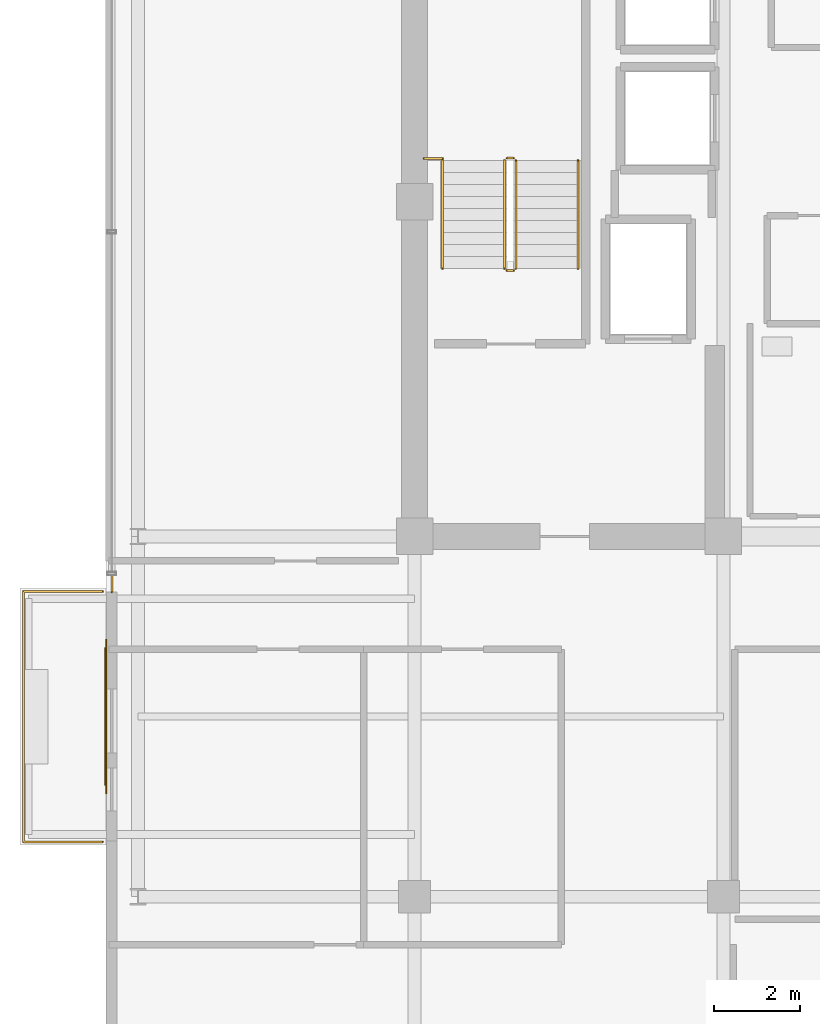
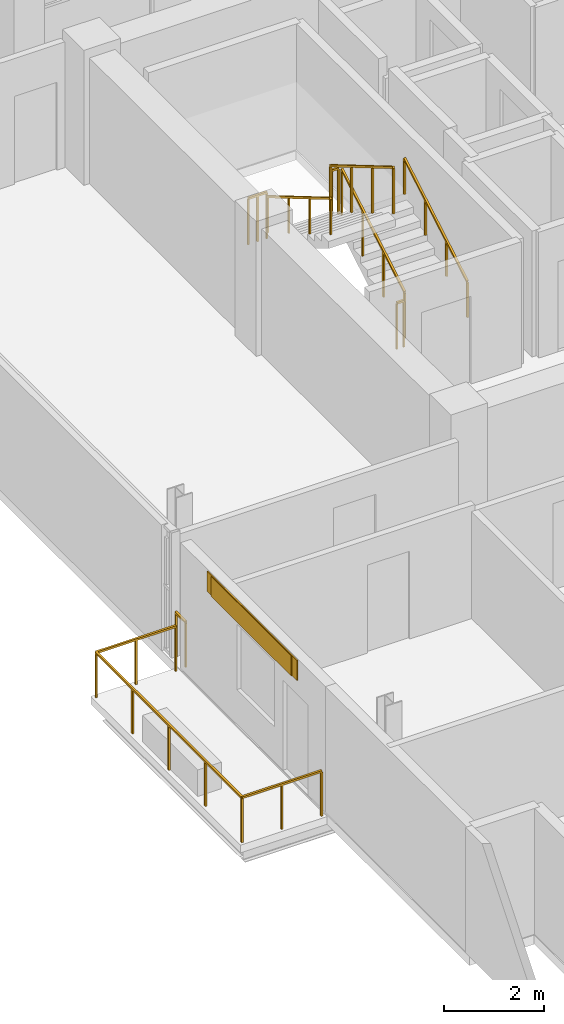
# One storey, part 26 of 28: 9 railings, 1 covering, 1 shading device.
"""IFC4 building model written with IfcOpenShell, lengths in metres."""

from ifc_helpers import new_model, si_unit, direction, frame, origin, origin_2d, place, context, subcontext, project, spatial, rectangle, extrude, source, transform, mapped, material, layer, layer_set, type_object, element, save


model = new_model("IFC4")

# Units and contexts
model_context = context("Model", 3, precision=1e-05, world=origin(), true_north=direction((0.0, 1.0)))
body_context = subcontext(model_context, "Body", "Model", "MODEL_VIEW")
ifc_project = project(units=[si_unit("LENGTHUNIT", "METRE"), si_unit("AREAUNIT", "SQUARE_METRE"), si_unit("VOLUMEUNIT", "CUBIC_METRE"), si_unit("PLANEANGLEUNIT", "RADIAN"), si_unit("MASSUNIT", "GRAM", prefix="KILO")], contexts=[model_context])

# Site, building, storey
site_placement = place(None, origin())
site = spatial("IfcSite", under=ifc_project, at=site_placement, CompositionType="ELEMENT")
building_placement = place(site_placement, origin())
building = spatial("IfcBuilding", under=site, at=building_placement, Name="Zarnakvel Exchange Tower", CompositionType="ELEMENT")
storey_placement = place(building_placement, frame((0.0, 0.0, 261.699951171875)))
storey = spatial("IfcBuildingStorey", under=building, at=storey_placement, Name="L74", CompositionType="ELEMENT", Elevation=261.699951171875)

# Railings
ifc_material_1 = material(Name="Architectural Bronze Anodised Aluminium", Category="aluminium")
railing_type_1 = type_object("IfcRailingType", Name="GR-02", PredefinedType="GUARDRAIL", material=ifc_material_1)
railing_1_placement = place(storey_placement, frame((-21.679931640625, -8.320068359375, -0.034912109375)))
element("IfcRailing", 1, at=railing_1_placement, inside=storey, type_object=railing_type_1, Name="L74 Balcony Guardrail BAL-L74-W", PredefinedType="GUARDRAIL", context=body_context, shape_type="SweptSolid", body=[
    extrude(rectangle(XDim=0.048095703125, YDim=0.048095703125, at=origin_2d()), frame((0.0, 0.0, 1.09619140625), z_axis=(-1.0, 0.0, 0.0), x_axis=(0.0, -1.0, 0.0)), (0.0, 0.0, 1.0), 1.840087890625),
    extrude(rectangle(XDim=0.048095703125, YDim=0.048095703125, at=origin_2d()), frame((-1.840087890625, 0.0, 1.09619140625), z_axis=(0.0, 1.0, 0.0), x_axis=(-1.0, 0.0, 0.0)), (0.0, 0.0, 1.0), 5.840087890625),
    extrude(rectangle(XDim=0.048095703125, YDim=0.048095703125, at=origin_2d()), frame((-1.840087890625, 5.840087890625, 1.09619140625), z_axis=(1.0, 0.0, 0.0), x_axis=(0.0, 1.0, 0.0)), (0.0, 0.0, 1.0), 1.840087890625),
    extrude(rectangle(XDim=0.0419921875, YDim=0.0419921875, at=origin_2d()), origin(), (0.0, 0.0, 1.0), 1.072021484375),
    extrude(rectangle(XDim=0.0419921875, YDim=0.0419921875, at=origin_2d()), frame((-0.919921875, 0.0, 0.0)), (0.0, 0.0, 1.0), 1.072021484375),
    extrude(rectangle(XDim=0.0419921875, YDim=0.0419921875, at=origin_2d()), frame((-1.840087890625, 0.0, 0.0)), (0.0, 0.0, 1.0), 1.072021484375),
    extrude(rectangle(XDim=0.0419921875, YDim=0.0419921875, at=origin_2d()), frame((-1.840087890625, 1.4599609375, 0.0)), (0.0, 0.0, 1.0), 1.072021484375),
    extrude(rectangle(XDim=0.0419921875, YDim=0.0419921875, at=origin_2d()), frame((-1.840087890625, 2.919921875, 0.0)), (0.0, 0.0, 1.0), 1.072021484375),
    extrude(rectangle(XDim=0.0419921875, YDim=0.0419921875, at=origin_2d()), frame((-1.840087890625, 4.380126953125, 0.0)), (0.0, 0.0, 1.0), 1.072021484375),
    extrude(rectangle(XDim=0.0419921875, YDim=0.0419921875, at=origin_2d()), frame((-1.840087890625, 5.840087890625, 0.0)), (0.0, 0.0, 1.0), 1.072021484375),
    extrude(rectangle(XDim=0.0419921875, YDim=0.0419921875, at=origin_2d()), frame((-0.919921875, 5.840087890625, 0.0)), (0.0, 0.0, 1.0), 1.072021484375),
    extrude(rectangle(XDim=0.0419921875, YDim=0.0419921875, at=origin_2d()), frame((0.0, 5.840087890625, 0.0)), (0.0, 0.0, 1.0), 1.072021484375),
])
railing_2_placement = place(storey_placement, frame((-21.4599609375, -2.5, 0.0)))
element("IfcRailing", 2, at=railing_2_placement, inside=storey, type_object=railing_type_1, Name="L74 Corner Spandrel Balustrade #2", PredefinedType="GUARDRAIL", context=body_context, shape_type="SweptSolid", body=[
    extrude(rectangle(XDim=0.048095703125, YDim=0.048095703125, at=origin_2d()), frame((0.0, 0.0, 1.09619140625), z_axis=(0.0, 1.0, 0.0), x_axis=(-1.0, 0.0, 0.0)), (0.0, 0.0, 1.0), 0.39990234375),
    extrude(rectangle(XDim=0.0419921875, YDim=0.0419921875, at=origin_2d()), origin(), (0.0, 0.0, 1.0), 1.072021484375),
    extrude(rectangle(XDim=0.0419921875, YDim=0.0419921875, at=origin_2d()), frame((0.0, 0.39990234375, 0.0)), (0.0, 0.0, 1.0), 1.072021484375),
])
ifc_material_2 = material(Name="Brushed Stainless Steel", Category="steel")
railing_type_2 = type_object("IfcRailingType", Name="HR-01", PredefinedType="HANDRAIL", material=ifc_material_2)
railing_3_placement = place(storey_placement, frame((-10.590087890625, 5.050048828125, 0.1650390625)))
element("IfcRailing", 3, at=railing_3_placement, inside=storey, type_object=railing_type_2, Name="L74 ST-01 stair handrail 1", PredefinedType="HANDRAIL", context=body_context, shape_type="SweptSolid", body=[
    extrude(rectangle(XDim=0.048095703125, YDim=0.048095703125, at=origin_2d()), frame((0.0, 0.0, 0.8759765625), z_axis=(0.0, 0.86152411907, 0.507716645641), x_axis=(-1.0, 0.0, 0.0)), (0.0, 0.0, 1.0), 2.925048828125),
    extrude(rectangle(XDim=0.0419921875, YDim=0.0419921875, at=origin_2d()), origin(), (0.0, 0.0, 1.0), 0.851806640625),
    extrude(rectangle(XDim=0.0419921875, YDim=0.0419921875, at=origin_2d()), frame((0.0, 0.840087890625, 0.4951171875)), (0.0, 0.0, 1.0), 0.851806640625),
    extrude(rectangle(XDim=0.0419921875, YDim=0.0419921875, at=origin_2d()), frame((0.0, 1.679931640625, 0.989990234375)), (0.0, 0.0, 1.0), 0.851806640625),
    extrude(rectangle(XDim=0.0419921875, YDim=0.0419921875, at=origin_2d()), frame((0.0, 2.52001953125, 1.485107421875)), (0.0, 0.0, 1.0), 0.851806640625),
])
railing_4_placement = place(storey_placement, frame((-13.75, 7.570068359375, 1.81494140625)))
element("IfcRailing", 4, at=railing_4_placement, inside=storey, type_object=railing_type_2, Name="L74 ST-01 stair handrail 2", PredefinedType="HANDRAIL", context=body_context, shape_type="SweptSolid", body=[
    extrude(rectangle(XDim=0.048095703125, YDim=0.048095703125, at=origin_2d()), frame((0.0, 0.0, 0.8759765625), z_axis=(0.0, -0.86152411907, 0.507716645641), x_axis=(1.0, 0.0, 0.0)), (0.0, 0.0, 1.0), 2.925048828125),
    extrude(rectangle(XDim=0.0419921875, YDim=0.0419921875, at=origin_2d()), origin(), (0.0, 0.0, 1.0), 0.851806640625),
    extrude(rectangle(XDim=0.0419921875, YDim=0.0419921875, at=origin_2d()), frame((0.0, -0.840087890625, 0.4951171875)), (0.0, 0.0, 1.0), 0.851806640625),
    extrude(rectangle(XDim=0.0419921875, YDim=0.0419921875, at=origin_2d()), frame((0.0, -1.679931640625, 0.989990234375)), (0.0, 0.0, 1.0), 0.851806640625),
    extrude(rectangle(XDim=0.0419921875, YDim=0.0419921875, at=origin_2d()), frame((0.0, -2.52001953125, 1.485107421875)), (0.0, 0.0, 1.0), 0.851806640625),
])
railing_type_3 = type_object("IfcRailingType", Name="SG-01", PredefinedType="GUARDRAIL", material=ifc_material_1)
railing_5_placement = place(storey_placement, frame((-12.0400390625, 5.050048828125, 0.1650390625)))
element("IfcRailing", 5, at=railing_5_placement, inside=storey, type_object=railing_type_3, Name="L74 ST-01 stair guard 1", PredefinedType="GUARDRAIL", context=body_context, shape_type="SweptSolid", body=[
    extrude(rectangle(XDim=0.048095703125, YDim=0.048095703125, at=origin_2d()), frame((0.0, 0.0, 1.1259765625), z_axis=(0.0, 0.86152411907, 0.507716645641), x_axis=(-1.0, 0.0, 0.0)), (0.0, 0.0, 1.0), 2.925048828125),
    extrude(rectangle(XDim=0.0419921875, YDim=0.0419921875, at=origin_2d()), origin(), (0.0, 0.0, 1.0), 1.101806640625),
    extrude(rectangle(XDim=0.0419921875, YDim=0.0419921875, at=origin_2d()), frame((0.0, 0.840087890625, 0.4951171875)), (0.0, 0.0, 1.0), 1.101806640625),
    extrude(rectangle(XDim=0.0419921875, YDim=0.0419921875, at=origin_2d()), frame((0.0, 1.679931640625, 0.989990234375)), (0.0, 0.0, 1.0), 1.101806640625),
    extrude(rectangle(XDim=0.0419921875, YDim=0.0419921875, at=origin_2d()), frame((0.0, 2.52001953125, 1.485107421875)), (0.0, 0.0, 1.0), 1.101806640625),
])
railing_6_placement = place(storey_placement, frame((-12.090087890625, 7.6201171875, 1.650146484375)))
element("IfcRailing", 6, at=railing_6_placement, inside=storey, type_object=railing_type_3, Name="L74 ST-01 stair guard 2", PredefinedType="GUARDRAIL", context=body_context, shape_type="SweptSolid", body=[
    extrude(rectangle(XDim=0.048095703125, YDim=0.048095703125, at=origin_2d()), frame((0.0, 0.0, 1.1259765625), z_axis=(-1.0, 0.0, 0.0), x_axis=(0.0, -1.0, 0.0)), (0.0, 0.0, 1.0), 0.159912109375),
    extrude(rectangle(XDim=0.0419921875, YDim=0.0419921875, at=origin_2d()), origin(), (0.0, 0.0, 1.0), 1.101806640625),
    extrude(rectangle(XDim=0.0419921875, YDim=0.0419921875, at=origin_2d()), frame((-0.159912109375, 0.0, 0.0)), (0.0, 0.0, 1.0), 1.101806640625),
])
railing_7_placement = place(storey_placement, frame((-12.300048828125, 7.570068359375, 1.81494140625)))
element("IfcRailing", 7, at=railing_7_placement, inside=storey, type_object=railing_type_3, Name="L74 ST-01 stair guard 3", PredefinedType="GUARDRAIL", context=body_context, shape_type="SweptSolid", body=[
    extrude(rectangle(XDim=0.048095703125, YDim=0.048095703125, at=origin_2d()), frame((0.0, 0.0, 1.1259765625), z_axis=(0.0, -0.86152411907, 0.507716645641), x_axis=(1.0, 0.0, 0.0)), (0.0, 0.0, 1.0), 2.925048828125),
    extrude(rectangle(XDim=0.0419921875, YDim=0.0419921875, at=origin_2d()), origin(), (0.0, 0.0, 1.0), 1.101806640625),
    extrude(rectangle(XDim=0.0419921875, YDim=0.0419921875, at=origin_2d()), frame((0.0, -0.840087890625, 0.4951171875)), (0.0, 0.0, 1.0), 1.101806640625),
    extrude(rectangle(XDim=0.0419921875, YDim=0.0419921875, at=origin_2d()), frame((0.0, -1.679931640625, 0.989990234375)), (0.0, 0.0, 1.0), 1.101806640625),
    extrude(rectangle(XDim=0.0419921875, YDim=0.0419921875, at=origin_2d()), frame((0.0, -2.52001953125, 1.485107421875)), (0.0, 0.0, 1.0), 1.101806640625),
])
railing_8_placement = place(storey_placement, frame((-12.090087890625, 5.0, 0.0)))
element("IfcRailing", 8, at=railing_8_placement, inside=storey, type_object=railing_type_3, Name="L74 ST-01 stair guard 4", PredefinedType="GUARDRAIL", context=body_context, shape_type="SweptSolid", body=[
    extrude(rectangle(XDim=0.048095703125, YDim=0.048095703125, at=origin_2d()), frame((0.0, 0.0, 1.1259765625), z_axis=(-1.0, 0.0, 0.0), x_axis=(0.0, -1.0, 0.0)), (0.0, 0.0, 1.0), 0.159912109375),
    extrude(rectangle(XDim=0.0419921875, YDim=0.0419921875, at=origin_2d()), origin(), (0.0, 0.0, 1.0), 1.101806640625),
    extrude(rectangle(XDim=0.0419921875, YDim=0.0419921875, at=origin_2d()), frame((-0.159912109375, 0.0, 0.0)), (0.0, 0.0, 1.0), 1.101806640625),
])
railing_9_placement = place(storey_placement, frame((-14.179931640625, 7.610107421875, 1.650146484375)))
element("IfcRailing", 9, at=railing_9_placement, inside=storey, type_object=railing_type_3, Name="L74 ST-01 Landing Slot Guardrail", PredefinedType="GUARDRAIL", context=body_context, shape_type="SweptSolid", body=[
    extrude(rectangle(XDim=0.048095703125, YDim=0.048095703125, at=origin_2d()), frame((0.0, 0.0, 1.1259765625), z_axis=(1.0, 0.0, 0.0), x_axis=(0.0, 1.0, 0.0)), (0.0, 0.0, 1.0), 0.429931640625),
    extrude(rectangle(XDim=0.0419921875, YDim=0.0419921875, at=origin_2d()), origin(), (0.0, 0.0, 1.0), 1.101806640625),
    extrude(rectangle(XDim=0.0419921875, YDim=0.0419921875, at=origin_2d()), frame((0.21484375, 0.0, 0.0)), (0.0, 0.0, 1.0), 1.101806640625),
    extrude(rectangle(XDim=0.0419921875, YDim=0.0419921875, at=origin_2d()), frame((0.429931640625, 0.0, 0.0)), (0.0, 0.0, 1.0), 1.101806640625),
])

# Shading device
ifc_material_3 = material(Name="Perforated Architectural Bronze Screen", Category="aluminium")
ifc_layer_1 = layer(ifc_material_3, 0.044921875)
ifc_layer_set_1 = layer_set([ifc_layer_1], Name="Perforated Architectural Bronze Screen")
shading_device_type = type_object("IfcShadingDeviceType", Name="SS-01", PredefinedType="JALOUSIE", material=ifc_layer_set_1)
shared_shape_1 = source(origin(), body_context, "Body", "SweptSolid", [
    extrude(rectangle(XDim=3.199951171875, YDim=0.044921875, at=origin_2d()), origin(), (0.0, 0.0, 1.0), 0.4951171875),
])
shading_device_placement = place(storey_placement, frame((-21.6005859375, -5.39990234375, 2.56005859375), z_axis=(0.0, 0.0, 1.0), x_axis=(0.0, 1.0, 0.0)))
element("IfcShadingDevice", 10, at=shading_device_placement, inside=storey, type_object=shading_device_type, Name="L74 Bronze Solar Shading Screen SS-01", PredefinedType="JALOUSIE", context=body_context, shape_type="MappedRepresentation", body=[
    mapped(shared_shape_1, transform((0.0, 0.0, 0.0), x_axis=(1.0, 0.0, 0.0), y_axis=(0.0, 1.0, 0.0), z_axis=(0.0, 0.0, 1.0), scale=1.0)),
])

# Covering
ifc_material_4 = material(Name="Glazed Turquoise Ceramic Architectural Tile", Category="ceramic")
ifc_layer_2 = layer(ifc_material_4, 0.028076171875)
ifc_layer_set_2 = layer_set([ifc_layer_2], Name="Glazed Turquoise Ceramic Architectural Tile")
covering_type = type_object("IfcCoveringType", Name="CL-01", PredefinedType="CLADDING", material=ifc_layer_set_2)
shared_shape_2 = source(origin(), body_context, "Body", "SweptSolid", [
    extrude(rectangle(XDim=3.60009765625, YDim=0.028076171875, at=origin_2d()), origin(), (0.0, 0.0, 1.0), 0.4951171875),
])
covering_placement = place(storey_placement, frame((-21.592041015625, -5.39990234375, 2.56005859375), z_axis=(0.0, 0.0, 1.0), x_axis=(0.0, 1.0, 0.0)))
element("IfcCovering", 11, at=covering_placement, inside=storey, type_object=covering_type, Name="L74 Ceramic Spandrel Tilework CL-01", PredefinedType="CLADDING", context=body_context, shape_type="MappedRepresentation", body=[
    mapped(shared_shape_2, transform((0.0, 0.0, 0.0), x_axis=(1.0, 0.0, 0.0), y_axis=(0.0, 1.0, 0.0), z_axis=(0.0, 0.0, 1.0), scale=1.0)),
])

save(model, "model.ifc")
